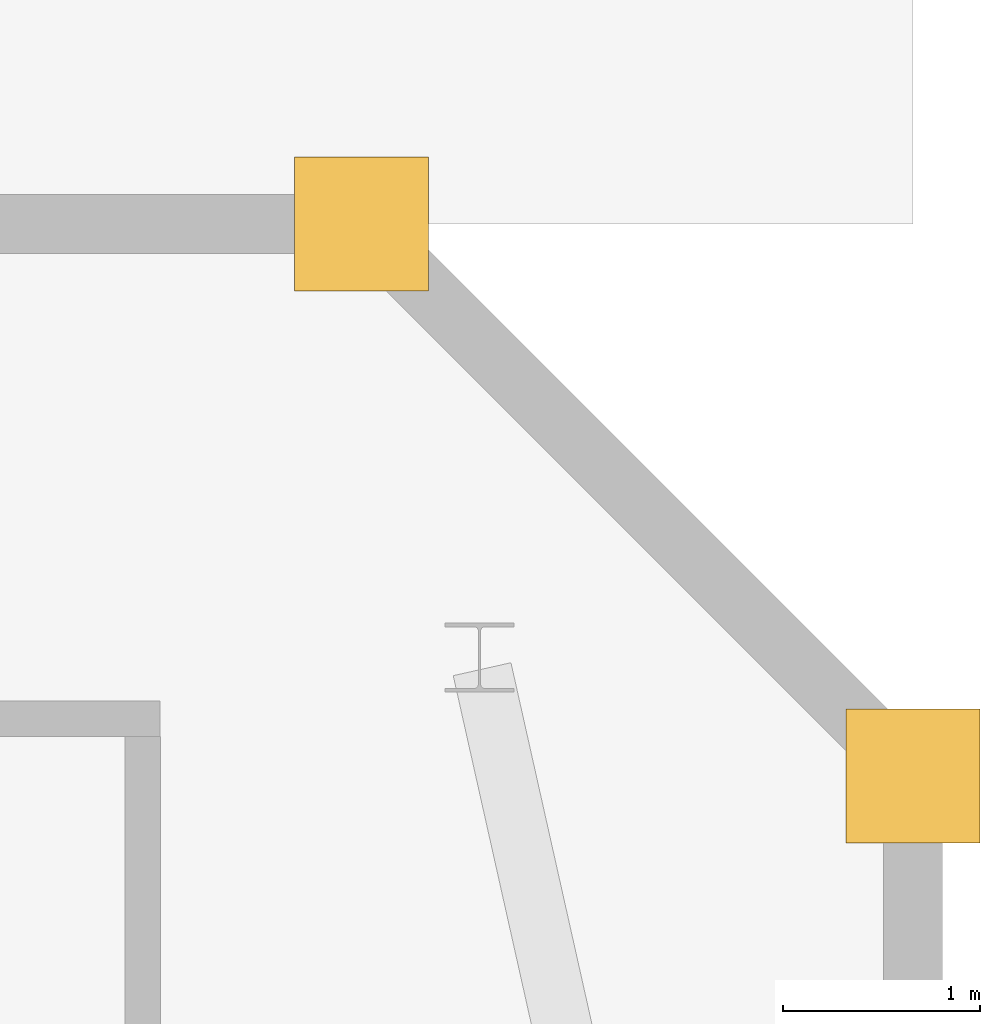
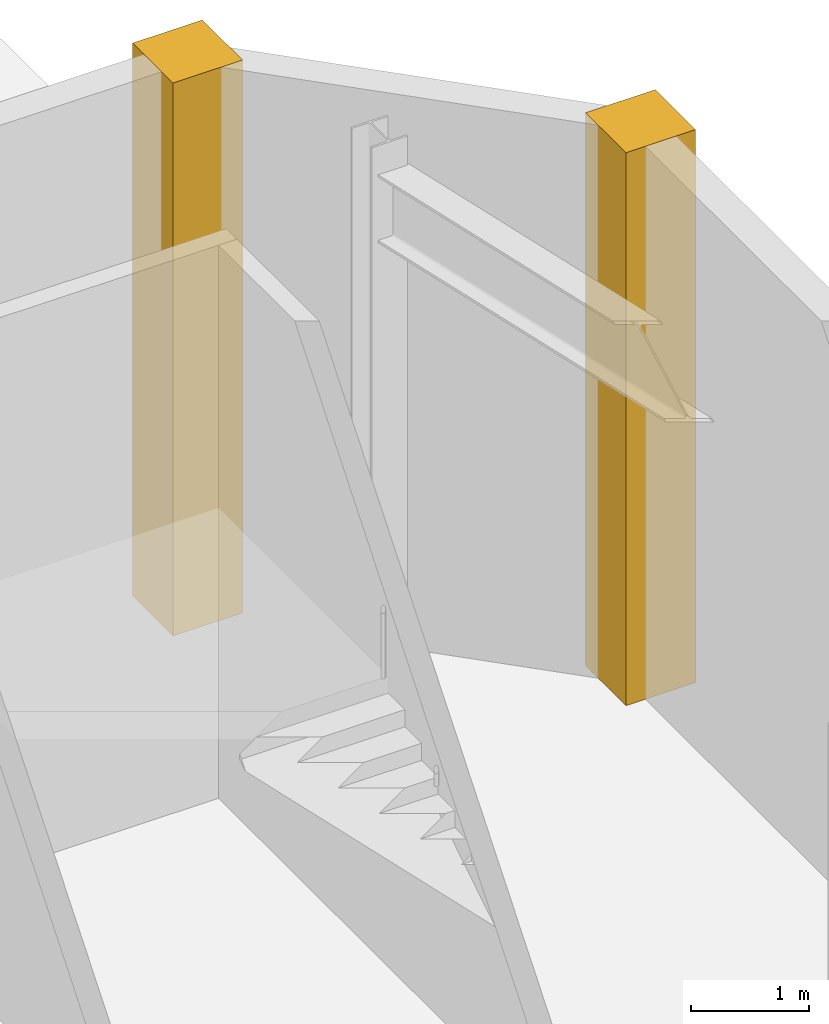
# One storey, part 22 of 23: 2 coverings.
"""IFC4 building model written with IfcOpenShell, lengths in metres."""

from ifc_helpers import new_model, si_unit, direction, origin, place, context, subcontext, project, spatial, polyline, outline, extrude, material, layer, layer_set, type_object, element, save


model = new_model("IFC4")

# Units and contexts
model_context = context("Model", 3, precision=1e-05, world=origin(), true_north=direction((0.0, 1.0)))
body_context = subcontext(model_context, "Body", "Model", "MODEL_VIEW")
ifc_project = project(units=[si_unit("LENGTHUNIT", "METRE"), si_unit("AREAUNIT", "SQUARE_METRE"), si_unit("VOLUMEUNIT", "CUBIC_METRE"), si_unit("PLANEANGLEUNIT", "RADIAN"), si_unit("MASSUNIT", "GRAM", prefix="KILO")], contexts=[model_context])

# Site, building, storey
site_placement = place(None, origin())
site = spatial("IfcSite", under=ifc_project, at=site_placement, CompositionType="ELEMENT")
building_placement = place(site_placement, origin())
building = spatial("IfcBuilding", under=site, at=building_placement, Name="Saevonmaru Cultural Tower", CompositionType="ELEMENT")
storey_placement = place(building_placement, origin())
storey = spatial("IfcBuildingStorey", under=building, at=storey_placement, Name="L00", CompositionType="ELEMENT", Elevation=0.0)

# Coverings
ifc_material = material(Name="Satin Bronze Anodised Aluminium", Category="aluminium")
ifc_layer = layer(ifc_material, 0.679931640625, Name="Satin Bronze Anodised Aluminium")
ifc_layer_set = layer_set([ifc_layer], Name="Satin Bronze Anodised Aluminium")
covering_type = type_object("IfcCoveringType", Name="CV-CORNER-CLAD", PredefinedType="CLADDING", material=ifc_layer_set)
covering_1_placement = place(storey_placement, origin())
element("IfcCovering", 1, at=covering_1_placement, inside=storey, type_object=covering_type, Name="L00 Library Bronze Corner Cladding Pier 5", PredefinedType="CLADDING", context=body_context, shape_type="SweptSolid", body=[
    extrude(outline(polyline([(107.860107421875, 44.860107421875), (108.5400390625, 44.860107421875), (108.5400390625, 45.5400390625), (107.860107421875, 45.5400390625), (107.860107421875, 44.860107421875)])), origin(), (0.0, 0.0, 1.0), 5.699951171875),
])
covering_2_placement = place(storey_placement, origin())
element("IfcCovering", 2, at=covering_2_placement, inside=storey, type_object=covering_type, Name="L00 Library Bronze Corner Cladding Pier 6", PredefinedType="CLADDING", context=body_context, shape_type="SweptSolid", body=[
    extrude(outline(polyline([(105.06005859375, 47.659912109375), (105.739990234375, 47.659912109375), (105.739990234375, 48.340087890625), (105.06005859375, 48.340087890625), (105.06005859375, 47.659912109375)])), origin(), (0.0, 0.0, 1.0), 5.699951171875),
])

save(model, "model.ifc")
